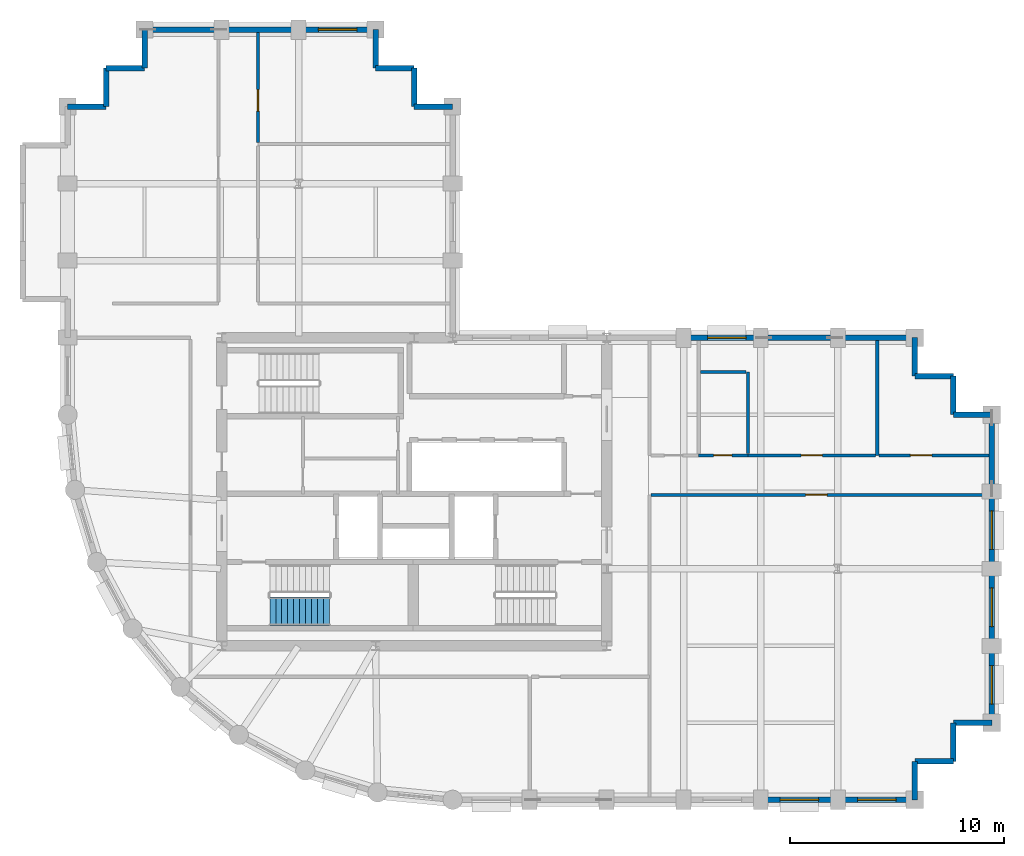
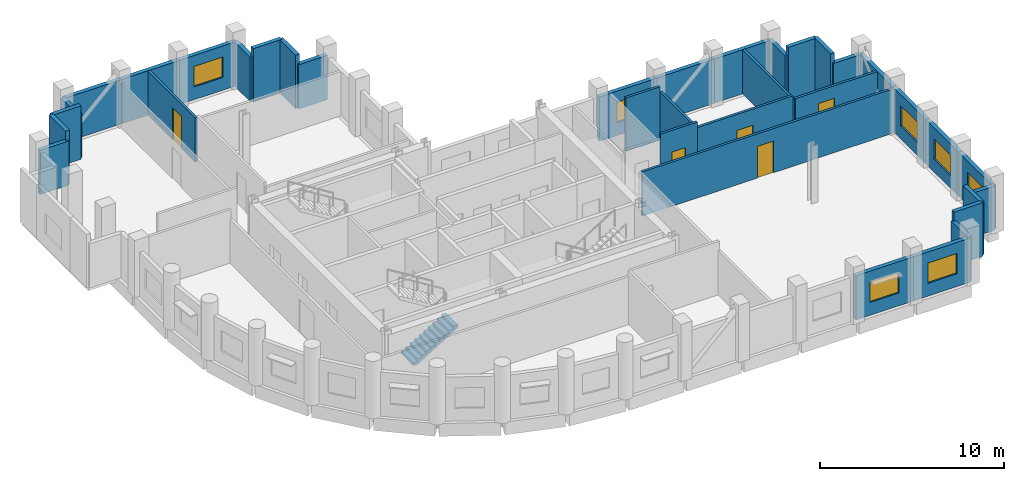
# One storey, part 5 of 8: 36 walls, 7 windows, 5 doors, 1 stair flight, 12 openings, 1 element without a shape of its own.
"""IFC4 building model written with IfcOpenShell, lengths in metres."""

from ifc_helpers import new_model, si_unit, direction, frame, frame_2d, origin, place, context, subcontext, project, spatial, polyline, rectangle, outline, extrude, material, layer, layer_set, type_object, element, fill, aggregate, save


model = new_model("IFC4")

# Units and contexts
model_context = context("Model", 3, precision=1e-05, world=origin(), true_north=direction((0.0, 1.0)))
body_context = subcontext(model_context, "Body", "Model", "MODEL_VIEW")
ifc_project = project(units=[si_unit("LENGTHUNIT", "METRE"), si_unit("AREAUNIT", "SQUARE_METRE"), si_unit("VOLUMEUNIT", "CUBIC_METRE"), si_unit("PLANEANGLEUNIT", "RADIAN"), si_unit("MASSUNIT", "GRAM", prefix="KILO")], contexts=[model_context])

# Site, building, storey
site_placement = place(None, origin())
site = spatial("IfcSite", under=ifc_project, at=site_placement, CompositionType="ELEMENT")
building_placement = place(site_placement, origin())
building = spatial("IfcBuilding", under=site, at=building_placement, Name="Solnavia Interchange Tower", CompositionType="ELEMENT")
storey_placement = place(building_placement, frame((0.0, 0.0, 197.60009765625)))
storey = spatial("IfcBuildingStorey", under=building, at=storey_placement, Name="L49", CompositionType="ELEMENT", Elevation=197.60009765625)

# Wall, opening, window
ifc_material_1 = material(Name="Concrete C40/50", Category="concrete")
ifc_layer_1 = layer(ifc_material_1, 0.25)
ifc_layer_set_1 = layer_set([ifc_layer_1], Name="Concrete C40/50")
wall_type_1 = type_object("IfcWallType", Name="Wall-ExtSpandrel-250", PredefinedType="STANDARD", material=ifc_layer_set_1)
wall_1_placement = place(storey_placement, frame((43.199951171875, 3.60009765625, 0.0), z_axis=(0.0, 0.0, 1.0), x_axis=(-1.0, 0.0, 0.0)))
wall_1 = element("IfcWall", 1, at=wall_1_placement, inside=storey, type_object=wall_type_1, Name="EXW-L49-05 Exterior precast spandrel wall", PredefinedType="STANDARD", context=body_context, shape_type="SweptSolid", body=[
    extrude(rectangle(XDim=3.599853515625, YDim=0.25, at=frame_2d((1.7998046875, 0.0))), origin(), (0.0, 0.0, 1.0), 2.929931640625),
])
opening_1_placement = place(wall_1_placement, frame((0.89990234375, 0.0, 0.85009765625)))
opening_1 = element("IfcOpeningElement", 2, at=opening_1_placement, cuts=wall_1, Name="Opening WIN-02", PredefinedType="OPENING", context=body_context, shape_type="SweptSolid", body=[
    extrude(rectangle(XDim=1.800048828125, YDim=1.35009765625, at=frame_2d((0.89990234375, 0.675048828125))), frame((0.0, 0.135009765625, 0.0), z_axis=(0.0, -1.0, 0.0), x_axis=(1.0, 0.0, 0.0)), (0.0, 0.0, 1.0), 0.27001953125),
])
ifc_material_2 = material(Name="Thermal-Break Aluminium & Low-E Glass", Category="aluminium")
window_type = type_object("IfcWindowType", Name="Window-Ribbon-1800x1350", PartitioningType="SINGLE_PANEL", PredefinedType="WINDOW", material=ifc_material_2)
window_1_placement = place(opening_1_placement, origin())
window_1 = element("IfcWindow", 3, at=window_1_placement, inside=storey, type_object=window_type, Name="WIN-L49-05 Facade ribbon window", OverallHeight=1.35009765625, OverallWidth=1.800048828125, PartitioningType="SINGLE_PANEL", PredefinedType="WINDOW", context=body_context, shape_type="SweptSolid", body=[
    extrude(rectangle(XDim=1.800048828125, YDim=1.35009765625, at=frame_2d((0.89990234375, 0.675048828125))), frame((0.0, 0.030029296875, 0.0), z_axis=(0.0, -1.0, 0.0), x_axis=(1.0, 0.0, 0.0)), (0.0, 0.0, 1.0), 0.06005859375),
])
fill(opening_1, window_1)

wall_2_placement = place(storey_placement, frame((46.800048828125, 3.60009765625, 0.0), z_axis=(0.0, 0.0, 1.0), x_axis=(-1.0, 0.0, 0.0)))
wall_2 = element("IfcWall", 4, at=wall_2_placement, inside=storey, type_object=wall_type_1, Name="EXW-L49-06 Exterior precast spandrel wall", PredefinedType="STANDARD", context=body_context, shape_type="SweptSolid", body=[
    extrude(rectangle(XDim=3.60009765625, YDim=0.25, at=frame_2d((1.800048828125, 0.0))), origin(), (0.0, 0.0, 1.0), 2.929931640625),
])
opening_2_placement = place(wall_2_placement, frame((0.875, 0.0, 0.85009765625)))
opening_2 = element("IfcOpeningElement", 5, at=opening_2_placement, cuts=wall_2, Name="Opening WIN-02", PredefinedType="OPENING", context=body_context, shape_type="SweptSolid", body=[
    extrude(rectangle(XDim=1.800048828125, YDim=1.35009765625, at=frame_2d((0.89990234375, 0.675048828125))), frame((0.0, 0.135009765625, 0.0), z_axis=(0.0, -1.0, 0.0), x_axis=(1.0, 0.0, 0.0)), (0.0, 0.0, 1.0), 0.27001953125),
])
window_2_placement = place(opening_2_placement, origin())
window_2 = element("IfcWindow", 6, at=window_2_placement, inside=storey, type_object=window_type, Name="WIN-L49-06 Facade ribbon window", OverallHeight=1.35009765625, OverallWidth=1.800048828125, PartitioningType="SINGLE_PANEL", PredefinedType="WINDOW", context=body_context, shape_type="SweptSolid", body=[
    extrude(rectangle(XDim=1.800048828125, YDim=1.35009765625, at=frame_2d((0.89990234375, 0.675048828125))), frame((0.0, 0.030029296875, 0.0), z_axis=(0.0, -1.0, 0.0), x_axis=(1.0, 0.0, 0.0)), (0.0, 0.0, 1.0), 0.06005859375),
])
fill(opening_2, window_2)

# Walls
wall_3_placement = place(storey_placement, frame((46.800048828125, 5.39990234375, 0.0), z_axis=(0.0, 0.0, 1.0), x_axis=(0.0, -1.0, 0.0)))
element("IfcWall", 7, at=wall_3_placement, inside=storey, type_object=wall_type_1, Name="EXW-L49-07 Exterior precast spandrel wall", PredefinedType="STANDARD", context=body_context, shape_type="SweptSolid", body=[
    extrude(rectangle(XDim=1.7998046875, YDim=0.25, at=frame_2d((0.89990234375, 0.0))), origin(), (0.0, 0.0, 1.0), 2.929931640625),
])
for number, where, z_axis, x_axis, name in (
    (8, (48.60009765625, 5.39990234375, 0.0), (0.0, 0.0, 1.0), (-1.0, 0.0, 0.0), "EXW-L49-08 Exterior precast spandrel wall"),
    (9, (48.60009765625, 7.199951171875, 0.0), (0.0, 0.0, 1.0), (0.0, -1.0, 0.0), "EXW-L49-09 Exterior precast spandrel wall"),
):
    element("IfcWall", number, at=place(storey_placement, frame(where, z_axis=z_axis, x_axis=x_axis)), inside=storey, type_object=wall_type_1, Name=name, PredefinedType="STANDARD", context=body_context, shape_type="SweptSolid", body=[
        extrude(rectangle(XDim=1.800048828125, YDim=0.25, at=frame_2d((0.89990234375, 0.0))), origin(), (0.0, 0.0, 1.0), 3.534912109375),
    ])
wall_4_placement = place(storey_placement, frame((50.39990234375, 7.199951171875, 0.0), z_axis=(0.0, 0.0, 1.0), x_axis=(-1.0, 0.0, 0.0)))
element("IfcWall", 10, at=wall_4_placement, inside=storey, type_object=wall_type_1, Name="EXW-L49-10 Exterior precast spandrel wall", PredefinedType="STANDARD", context=body_context, shape_type="SweptSolid", body=[
    extrude(rectangle(XDim=1.7998046875, YDim=0.25, at=frame_2d((0.89990234375, 0.0))), origin(), (0.0, 0.0, 1.0), 2.929931640625),
])

# Wall, opening, window
wall_5_placement = place(storey_placement, frame((50.39990234375, 10.800048828125, 0.0), z_axis=(0.0, 0.0, 1.0), x_axis=(0.0, -1.0, 0.0)))
wall_5 = element("IfcWall", 11, at=wall_5_placement, inside=storey, type_object=wall_type_1, Name="EXW-L49-11 Exterior precast spandrel wall", PredefinedType="STANDARD", context=body_context, shape_type="SweptSolid", body=[
    extrude(rectangle(XDim=3.60009765625, YDim=0.25, at=frame_2d((1.800048828125, 0.0))), origin(), (0.0, 0.0, 1.0), 2.929931640625),
])
opening_3_placement = place(wall_5_placement, frame((0.925048828125, 0.0, 0.85009765625)))
opening_3 = element("IfcOpeningElement", 12, at=opening_3_placement, cuts=wall_5, Name="Opening WIN-02", PredefinedType="OPENING", context=body_context, shape_type="SweptSolid", body=[
    extrude(rectangle(XDim=1.800048828125, YDim=1.35009765625, at=frame_2d((0.89990234375, 0.675048828125))), frame((0.0, 0.135009765625, 0.0), z_axis=(0.0, -1.0, 0.0), x_axis=(1.0, 0.0, 0.0)), (0.0, 0.0, 1.0), 0.27001953125),
])
window_3_placement = place(opening_3_placement, origin())
window_3 = element("IfcWindow", 13, at=window_3_placement, inside=storey, type_object=window_type, Name="WIN-L49-11 Facade ribbon window", OverallHeight=1.35009765625, OverallWidth=1.800048828125, PartitioningType="SINGLE_PANEL", PredefinedType="WINDOW", context=body_context, shape_type="SweptSolid", body=[
    extrude(rectangle(XDim=1.800048828125, YDim=1.35009765625, at=frame_2d((0.89990234375, 0.675048828125))), frame((0.0, 0.030029296875, 0.0), z_axis=(0.0, -1.0, 0.0), x_axis=(1.0, 0.0, 0.0)), (0.0, 0.0, 1.0), 0.06005859375),
])
fill(opening_3, window_3)

wall_6_placement = place(storey_placement, frame((50.39990234375, 14.39990234375, 0.0), z_axis=(0.0, 0.0, 1.0), x_axis=(0.0, -1.0, 0.0)))
wall_6 = element("IfcWall", 14, at=wall_6_placement, inside=storey, type_object=wall_type_1, Name="EXW-L49-12 Exterior precast spandrel wall", PredefinedType="STANDARD", context=body_context, shape_type="SweptSolid", body=[
    extrude(rectangle(XDim=3.599853515625, YDim=0.25, at=frame_2d((1.7998046875, 0.0))), origin(), (0.0, 0.0, 1.0), 2.929931640625),
])
opening_4_placement = place(wall_6_placement, frame((0.89990234375, 0.0, 0.85009765625)))
opening_4 = element("IfcOpeningElement", 15, at=opening_4_placement, cuts=wall_6, Name="Opening WIN-02", PredefinedType="OPENING", context=body_context, shape_type="SweptSolid", body=[
    extrude(rectangle(XDim=1.800048828125, YDim=1.35009765625, at=frame_2d((0.89990234375, 0.675048828125))), frame((0.0, 0.135009765625, 0.0), z_axis=(0.0, -1.0, 0.0), x_axis=(1.0, 0.0, 0.0)), (0.0, 0.0, 1.0), 0.27001953125),
])
window_4_placement = place(opening_4_placement, origin())
window_4 = element("IfcWindow", 16, at=window_4_placement, inside=storey, type_object=window_type, Name="WIN-L49-12 Facade ribbon window", OverallHeight=1.35009765625, OverallWidth=1.800048828125, PartitioningType="SINGLE_PANEL", PredefinedType="WINDOW", context=body_context, shape_type="SweptSolid", body=[
    extrude(rectangle(XDim=1.800048828125, YDim=1.35009765625, at=frame_2d((0.89990234375, 0.675048828125))), frame((0.0, 0.030029296875, 0.0), z_axis=(0.0, -1.0, 0.0), x_axis=(1.0, 0.0, 0.0)), (0.0, 0.0, 1.0), 0.06005859375),
])
fill(opening_4, window_4)

wall_7_placement = place(storey_placement, frame((50.39990234375, 18.0, 0.0), z_axis=(0.0, 0.0, 1.0), x_axis=(0.0, -1.0, 0.0)))
wall_7 = element("IfcWall", 17, at=wall_7_placement, inside=storey, type_object=wall_type_1, Name="EXW-L49-13 Exterior precast spandrel wall", PredefinedType="STANDARD", context=body_context, shape_type="SweptSolid", body=[
    extrude(rectangle(XDim=3.60009765625, YDim=0.25, at=frame_2d((1.800048828125, 0.0))), origin(), (0.0, 0.0, 1.0), 2.929931640625),
])
opening_5_placement = place(wall_7_placement, frame((0.89990234375, 0.0, 0.85009765625)))
opening_5 = element("IfcOpeningElement", 18, at=opening_5_placement, cuts=wall_7, Name="Opening WIN-02", PredefinedType="OPENING", context=body_context, shape_type="SweptSolid", body=[
    extrude(rectangle(XDim=1.800048828125, YDim=1.35009765625, at=frame_2d((0.89990234375, 0.675048828125))), frame((0.0, 0.135009765625, 0.0), z_axis=(0.0, -1.0, 0.0), x_axis=(1.0, 0.0, 0.0)), (0.0, 0.0, 1.0), 0.27001953125),
])
window_5_placement = place(opening_5_placement, origin())
window_5 = element("IfcWindow", 19, at=window_5_placement, inside=storey, type_object=window_type, Name="WIN-L49-13 Facade ribbon window", OverallHeight=1.35009765625, OverallWidth=1.800048828125, PartitioningType="SINGLE_PANEL", PredefinedType="WINDOW", context=body_context, shape_type="SweptSolid", body=[
    extrude(rectangle(XDim=1.800048828125, YDim=1.35009765625, at=frame_2d((0.89990234375, 0.675048828125))), frame((0.0, 0.030029296875, 0.0), z_axis=(0.0, -1.0, 0.0), x_axis=(1.0, 0.0, 0.0)), (0.0, 0.0, 1.0), 0.06005859375),
])
fill(opening_5, window_5)

# Walls
wall_8_placement = place(storey_placement, frame((50.39990234375, 21.60009765625, 0.0), z_axis=(0.0, 0.0, 1.0), x_axis=(0.0, -1.0, 0.0)))
element("IfcWall", 20, at=wall_8_placement, inside=storey, type_object=wall_type_1, Name="EXW-L49-14 Exterior precast spandrel wall", PredefinedType="STANDARD", context=body_context, shape_type="SweptSolid", body=[
    extrude(rectangle(XDim=3.60009765625, YDim=0.25, at=frame_2d((1.800048828125, 0.0))), origin(), (0.0, 0.0, 1.0), 2.929931640625),
])
wall_9_placement = place(storey_placement, frame((48.60009765625, 21.60009765625, 0.0), z_axis=(0.0, 0.0, 1.0), x_axis=(1.0, 0.0, 0.0)))
element("IfcWall", 21, at=wall_9_placement, inside=storey, type_object=wall_type_1, Name="EXW-L49-15 Exterior precast spandrel wall", PredefinedType="STANDARD", context=body_context, shape_type="SweptSolid", body=[
    extrude(rectangle(XDim=1.7998046875, YDim=0.25, at=frame_2d((0.89990234375, 0.0))), origin(), (0.0, 0.0, 1.0), 2.929931640625),
])
wall_10_placement = place(storey_placement, frame((48.60009765625, 23.39990234375, 0.0), z_axis=(0.0, 0.0, 1.0), x_axis=(0.0, -1.0, 0.0)))
element("IfcWall", 22, at=wall_10_placement, inside=storey, type_object=wall_type_1, Name="EXW-L49-16 Exterior precast spandrel wall", PredefinedType="STANDARD", context=body_context, shape_type="SweptSolid", body=[
    extrude(rectangle(XDim=1.7998046875, YDim=0.25, at=frame_2d((0.89990234375, 0.0))), origin(), (0.0, 0.0, 1.0), 3.534912109375),
])
wall_11_placement = place(storey_placement, frame((46.800048828125, 23.39990234375, 0.0), z_axis=(0.0, 0.0, 1.0), x_axis=(1.0, 0.0, 0.0)))
element("IfcWall", 23, at=wall_11_placement, inside=storey, type_object=wall_type_1, Name="EXW-L49-17 Exterior precast spandrel wall", PredefinedType="STANDARD", context=body_context, shape_type="SweptSolid", body=[
    extrude(rectangle(XDim=1.800048828125, YDim=0.25, at=frame_2d((0.89990234375, 0.0))), origin(), (0.0, 0.0, 1.0), 3.534912109375),
])
wall_12_placement = place(storey_placement, frame((46.800048828125, 25.199951171875, 0.0), z_axis=(0.0, 0.0, 1.0), x_axis=(0.0, -1.0, 0.0)))
element("IfcWall", 24, at=wall_12_placement, inside=storey, type_object=wall_type_1, Name="EXW-L49-18 Exterior precast spandrel wall", PredefinedType="STANDARD", context=body_context, shape_type="SweptSolid", body=[
    extrude(rectangle(XDim=1.800048828125, YDim=0.25, at=frame_2d((0.89990234375, 0.0))), origin(), (0.0, 0.0, 1.0), 2.929931640625),
])
wall_13_placement = place(storey_placement, frame((43.199951171875, 25.199951171875, 0.0), z_axis=(0.0, 0.0, 1.0), x_axis=(1.0, 0.0, 0.0)))
element("IfcWall", 25, at=wall_13_placement, inside=storey, type_object=wall_type_1, Name="EXW-L49-19 Exterior precast spandrel wall", PredefinedType="STANDARD", context=body_context, shape_type="SweptSolid", body=[
    extrude(rectangle(XDim=3.60009765625, YDim=0.25, at=frame_2d((1.800048828125, 0.0))), origin(), (0.0, 0.0, 1.0), 2.929931640625),
])
wall_14_placement = place(storey_placement, frame((39.60009765625, 25.199951171875, 0.0), z_axis=(0.0, 0.0, 1.0), x_axis=(1.0, 0.0, 0.0)))
element("IfcWall", 26, at=wall_14_placement, inside=storey, type_object=wall_type_1, Name="EXW-L49-20 Exterior precast spandrel wall", PredefinedType="STANDARD", context=body_context, shape_type="SweptSolid", body=[
    extrude(rectangle(XDim=3.599853515625, YDim=0.25, at=frame_2d((1.7998046875, 0.0))), origin(), (0.0, 0.0, 1.0), 2.929931640625),
])

# Wall, opening, window
wall_15_placement = place(storey_placement, frame((36.0, 25.199951171875, 0.0), z_axis=(0.0, 0.0, 1.0), x_axis=(1.0, 0.0, 0.0)))
wall_15 = element("IfcWall", 27, at=wall_15_placement, inside=storey, type_object=wall_type_1, Name="EXW-L49-21 Exterior precast spandrel wall", PredefinedType="STANDARD", context=body_context, shape_type="SweptSolid", body=[
    extrude(rectangle(XDim=3.60009765625, YDim=0.25, at=frame_2d((1.800048828125, 0.0))), origin(), (0.0, 0.0, 1.0), 2.929931640625),
])
opening_6_placement = place(wall_15_placement, frame((1.1201171875, 0.0, 0.85009765625)))
opening_6 = element("IfcOpeningElement", 28, at=opening_6_placement, cuts=wall_15, Name="Opening WIN-02", PredefinedType="OPENING", context=body_context, shape_type="SweptSolid", body=[
    extrude(rectangle(XDim=1.800048828125, YDim=1.35009765625, at=frame_2d((0.89990234375, 0.675048828125))), frame((0.0, 0.135009765625, 0.0), z_axis=(0.0, -1.0, 0.0), x_axis=(1.0, 0.0, 0.0)), (0.0, 0.0, 1.0), 0.27001953125),
])
window_6_placement = place(opening_6_placement, origin())
window_6 = element("IfcWindow", 29, at=window_6_placement, inside=storey, type_object=window_type, Name="WIN-L49-21 Facade ribbon window", OverallHeight=1.35009765625, OverallWidth=1.800048828125, PartitioningType="SINGLE_PANEL", PredefinedType="WINDOW", context=body_context, shape_type="SweptSolid", body=[
    extrude(rectangle(XDim=1.800048828125, YDim=1.35009765625, at=frame_2d((0.89990234375, 0.675048828125))), frame((0.0, 0.030029296875, 0.0), z_axis=(0.0, -1.0, 0.0), x_axis=(1.0, 0.0, 0.0)), (0.0, 0.0, 1.0), 0.06005859375),
])
fill(opening_6, window_6)

# Walls
wall_16_placement = place(storey_placement, frame((23.39990234375, 36.0, 0.0), z_axis=(0.0, 0.0, 1.0), x_axis=(1.0, 0.0, 0.0)))
element("IfcWall", 30, at=wall_16_placement, inside=storey, type_object=wall_type_1, Name="EXW-L49-28 Exterior precast spandrel wall", PredefinedType="STANDARD", context=body_context, shape_type="SweptSolid", body=[
    extrude(rectangle(XDim=1.800048828125, YDim=0.25, at=frame_2d((0.89990234375, 0.0))), origin(), (0.0, 0.0, 1.0), 2.929931640625),
])
wall_17_placement = place(storey_placement, frame((23.39990234375, 36.0, 0.0), z_axis=(0.0, 0.0, 1.0), x_axis=(0.0, 1.0, 0.0)))
element("IfcWall", 31, at=wall_17_placement, inside=storey, type_object=wall_type_1, Name="EXW-L49-29 Exterior precast spandrel wall", PredefinedType="STANDARD", context=body_context, shape_type="SweptSolid", body=[
    extrude(rectangle(XDim=1.800048828125, YDim=0.25, at=frame_2d((0.89990234375, 0.0))), origin(), (0.0, 0.0, 1.0), 3.534912109375),
])
wall_18_placement = place(storey_placement, frame((21.60009765625, 37.800048828125, 0.0), z_axis=(0.0, 0.0, 1.0), x_axis=(1.0, 0.0, 0.0)))
element("IfcWall", 32, at=wall_18_placement, inside=storey, type_object=wall_type_1, Name="EXW-L49-30 Exterior precast spandrel wall", PredefinedType="STANDARD", context=body_context, shape_type="SweptSolid", body=[
    extrude(rectangle(XDim=1.7998046875, YDim=0.25, at=frame_2d((0.89990234375, 0.0))), origin(), (0.0, 0.0, 1.0), 3.534912109375),
])
wall_19_placement = place(storey_placement, frame((21.60009765625, 37.800048828125, 0.0), z_axis=(0.0, 0.0, 1.0), x_axis=(0.0, 1.0, 0.0)))
element("IfcWall", 33, at=wall_19_placement, inside=storey, type_object=wall_type_1, Name="EXW-L49-31 Exterior precast spandrel wall", PredefinedType="STANDARD", context=body_context, shape_type="SweptSolid", body=[
    extrude(rectangle(XDim=1.800048828125, YDim=0.25, at=frame_2d((0.89990234375, 0.0))), origin(), (0.0, 0.0, 1.0), 2.929931640625),
])

# Wall, opening, window
wall_20_placement = place(storey_placement, frame((18.0, 39.60009765625, 0.0), z_axis=(0.0, 0.0, 1.0), x_axis=(1.0, 0.0, 0.0)))
wall_20 = element("IfcWall", 34, at=wall_20_placement, inside=storey, type_object=wall_type_1, Name="EXW-L49-32 Exterior precast spandrel wall", PredefinedType="STANDARD", context=body_context, shape_type="SweptSolid", body=[
    extrude(rectangle(XDim=3.60009765625, YDim=0.25, at=frame_2d((1.800048828125, 0.0))), origin(), (0.0, 0.0, 1.0), 2.929931640625),
])
opening_7_placement = place(wall_20_placement, frame((0.925048828125, 0.0, 0.85009765625)))
opening_7 = element("IfcOpeningElement", 35, at=opening_7_placement, cuts=wall_20, Name="Opening WIN-02", PredefinedType="OPENING", context=body_context, shape_type="SweptSolid", body=[
    extrude(rectangle(XDim=1.800048828125, YDim=1.35009765625, at=frame_2d((0.89990234375, 0.675048828125))), frame((0.0, 0.135009765625, 0.0), z_axis=(0.0, -1.0, 0.0), x_axis=(1.0, 0.0, 0.0)), (0.0, 0.0, 1.0), 0.27001953125),
])
window_7_placement = place(opening_7_placement, origin())
window_7 = element("IfcWindow", 36, at=window_7_placement, inside=storey, type_object=window_type, Name="WIN-L49-32 Facade ribbon window", OverallHeight=1.35009765625, OverallWidth=1.800048828125, PartitioningType="SINGLE_PANEL", PredefinedType="WINDOW", context=body_context, shape_type="SweptSolid", body=[
    extrude(rectangle(XDim=1.800048828125, YDim=1.35009765625, at=frame_2d((0.89990234375, 0.675048828125))), frame((0.0, 0.030029296875, 0.0), z_axis=(0.0, -1.0, 0.0), x_axis=(1.0, 0.0, 0.0)), (0.0, 0.0, 1.0), 0.06005859375),
])
fill(opening_7, window_7)

# Walls
wall_21_placement = place(storey_placement, frame((14.39990234375, 39.60009765625, 0.0), z_axis=(0.0, 0.0, 1.0), x_axis=(1.0, 0.0, 0.0)))
element("IfcWall", 37, at=wall_21_placement, inside=storey, type_object=wall_type_1, Name="EXW-L49-33 Exterior precast spandrel wall", PredefinedType="STANDARD", context=body_context, shape_type="SweptSolid", body=[
    extrude(rectangle(XDim=3.60009765625, YDim=0.25, at=frame_2d((1.800048828125, 0.0))), origin(), (0.0, 0.0, 1.0), 2.929931640625),
])
wall_22_placement = place(storey_placement, frame((10.800048828125, 39.60009765625, 0.0), z_axis=(0.0, 0.0, 1.0), x_axis=(1.0, 0.0, 0.0)))
element("IfcWall", 38, at=wall_22_placement, inside=storey, type_object=wall_type_1, Name="EXW-L49-34 Exterior precast spandrel wall", PredefinedType="STANDARD", context=body_context, shape_type="SweptSolid", body=[
    extrude(rectangle(XDim=3.599853515625, YDim=0.25, at=frame_2d((1.7998046875, 0.0))), origin(), (0.0, 0.0, 1.0), 2.929931640625),
])
wall_23_placement = place(storey_placement, frame((10.800048828125, 37.800048828125, 0.0), z_axis=(0.0, 0.0, 1.0), x_axis=(0.0, 1.0, 0.0)))
element("IfcWall", 39, at=wall_23_placement, inside=storey, type_object=wall_type_1, Name="EXW-L49-35 Exterior precast spandrel wall", PredefinedType="STANDARD", context=body_context, shape_type="SweptSolid", body=[
    extrude(rectangle(XDim=1.800048828125, YDim=0.25, at=frame_2d((0.89990234375, 0.0))), origin(), (0.0, 0.0, 1.0), 2.929931640625),
])
for number, where, z_axis, x_axis, name in (
    (40, (9.0, 37.800048828125, 0.0), (0.0, 0.0, 1.0), (1.0, 0.0, 0.0), "EXW-L49-36 Exterior precast spandrel wall"),
    (41, (9.0, 36.0, 0.0), (0.0, 0.0, 1.0), (0.0, 1.0, 0.0), "EXW-L49-37 Exterior precast spandrel wall"),
):
    element("IfcWall", number, at=place(storey_placement, frame(where, z_axis=z_axis, x_axis=x_axis)), inside=storey, type_object=wall_type_1, Name=name, PredefinedType="STANDARD", context=body_context, shape_type="SweptSolid", body=[
        extrude(rectangle(XDim=1.800048828125, YDim=0.25, at=frame_2d((0.89990234375, 0.0))), origin(), (0.0, 0.0, 1.0), 3.534912109375),
    ])
wall_24_placement = place(storey_placement, frame((7.199951171875, 36.0, 0.0), z_axis=(0.0, 0.0, 1.0), x_axis=(1.0, 0.0, 0.0)))
element("IfcWall", 42, at=wall_24_placement, inside=storey, type_object=wall_type_1, Name="EXW-L49-38 Exterior precast spandrel wall", PredefinedType="STANDARD", context=body_context, shape_type="SweptSolid", body=[
    extrude(rectangle(XDim=1.800048828125, YDim=0.25, at=frame_2d((0.89990234375, 0.0))), origin(), (0.0, 0.0, 1.0), 2.929931640625),
])

# Wall, opening, door
ifc_material_3 = material(Name="Gypsum Plasterboard & Steel Stud", Category="steel")
ifc_layer_2 = layer(ifc_material_3, 0.14990234375)
ifc_layer_set_2 = layer_set([ifc_layer_2], Name="Gypsum Plasterboard & Steel Stud")
wall_type_2 = type_object("IfcWallType", Name="Wall-Partition-150", PredefinedType="PARTITIONING", material=ifc_layer_set_2)
wall_25_placement = place(storey_placement, frame((34.47900390625, 17.85009765625, 0.0), z_axis=(0.0, 0.0, 1.0), x_axis=(1.0, 0.0, 0.0)))
wall_25 = element("IfcWall", 43, at=wall_25_placement, inside=storey, type_object=wall_type_2, Name="PTW-L49-13 Interior partition wall", PredefinedType="PARTITIONING", context=body_context, shape_type="SweptSolid", body=[
    extrude(rectangle(XDim=15.7919921875, YDim=0.14990234375, at=frame_2d((7.89599609375, 0.0))), origin(), (0.0, 0.0, 1.0), 2.929931640625),
])
opening_8_placement = place(wall_25_placement, frame((7.221923828125, 0.0, 0.0)))
opening_8 = element("IfcOpeningElement", 44, at=opening_8_placement, cuts=wall_25, Name="Opening DR-07", PredefinedType="OPENING", context=body_context, shape_type="SweptSolid", body=[
    extrude(rectangle(XDim=1.0, YDim=2.10009765625, at=frame_2d((0.5, 1.050048828125))), frame((0.0, 0.0849609375, 0.0), z_axis=(0.0, -1.0, 0.0), x_axis=(1.0, 0.0, 0.0)), (0.0, 0.0, 1.0), 0.169921875),
])
ifc_material_4 = material(Name="Timber & Acoustic Glazed Office Door", Category="wood")
door_type_1 = type_object("IfcDoorType", Name="Door-Office-1000x2100", OperationType="SINGLE_SWING_RIGHT", PredefinedType="DOOR", material=ifc_material_4)
door_1_placement = place(opening_8_placement, origin())
door_1 = element("IfcDoor", 45, at=door_1_placement, inside=storey, type_object=door_type_1, Name="DR-L49-05 Interior room door", OperationType="SINGLE_SWING_LEFT", OverallHeight=2.10009765625, OverallWidth=1.0, PredefinedType="DOOR", context=body_context, shape_type="SweptSolid", body=[
    extrude(rectangle(XDim=1.0, YDim=2.10009765625, at=frame_2d((0.5, 1.050048828125))), frame((0.0, 0.02490234375, 0.0), z_axis=(0.0, -1.0, 0.0), x_axis=(1.0, 0.0, 0.0)), (0.0, 0.0, 1.0), 0.050048828125),
])
fill(opening_8, door_1)

# Wall
wall_26_placement = place(storey_placement, frame((45.050048828125, 19.699951171875, 0.0), z_axis=(0.0, 0.0, 1.0), x_axis=(0.0, 1.0, 0.0)))
element("IfcWall", 46, at=wall_26_placement, inside=storey, type_object=wall_type_2, Name="PTW-L49-14 Interior partition wall", PredefinedType="PARTITIONING", context=body_context, shape_type="SweptSolid", body=[
    extrude(rectangle(XDim=5.37109375, YDim=0.14990234375, at=frame_2d((2.685546875, 0.0))), origin(), (0.0, 0.0, 1.0), 2.929931640625),
])

# Wall, opening, door
wall_27_placement = place(storey_placement, frame((39.0, 19.699951171875, 0.0), z_axis=(0.0, 0.0, 1.0), x_axis=(1.0, 0.0, 0.0)))
wall_27 = element("IfcWall", 47, at=wall_27_placement, inside=storey, type_object=wall_type_2, Name="PTW-L49-15 Interior partition wall", PredefinedType="PARTITIONING", context=body_context, shape_type="SweptSolid", body=[
    extrude(rectangle(XDim=5.970947265625, YDim=0.14990234375, at=frame_2d((2.9853515625, 0.0))), origin(), (0.0, 0.0, 1.0), 3.169921875),
])
opening_9_placement = place(wall_27_placement, frame((2.486083984375, 0.0, 0.0)))
opening_9 = element("IfcOpeningElement", 48, at=opening_9_placement, cuts=wall_27, Name="Opening DR-07", PredefinedType="OPENING", context=body_context, shape_type="SweptSolid", body=[
    extrude(rectangle(XDim=1.0, YDim=2.10009765625, at=frame_2d((0.5, 1.050048828125))), frame((0.0, 0.0849609375, 0.0), z_axis=(0.0, -1.0, 0.0), x_axis=(1.0, 0.0, 0.0)), (0.0, 0.0, 1.0), 0.169921875),
])
door_2_placement = place(opening_9_placement, origin())
door_2 = element("IfcDoor", 49, at=door_2_placement, inside=storey, type_object=door_type_1, Name="DR-L49-06 Interior room door", OperationType="SINGLE_SWING_RIGHT", OverallHeight=2.10009765625, OverallWidth=1.0, PredefinedType="DOOR", context=body_context, shape_type="SweptSolid", body=[
    extrude(rectangle(XDim=1.0, YDim=2.10009765625, at=frame_2d((0.5, 1.050048828125))), frame((0.0, 0.02490234375, 0.0), z_axis=(0.0, -1.0, 0.0), x_axis=(1.0, 0.0, 0.0)), (0.0, 0.0, 1.0), 0.050048828125),
])
fill(opening_9, door_2)

wall_28_placement = place(storey_placement, frame((45.12890625, 19.699951171875, 0.0), z_axis=(0.0, 0.0, 1.0), x_axis=(1.0, 0.0, 0.0)))
wall_28 = element("IfcWall", 50, at=wall_28_placement, inside=storey, type_object=wall_type_2, Name="PTW-L49-16 Interior partition wall", PredefinedType="PARTITIONING", context=body_context, shape_type="SweptSolid", body=[
    extrude(rectangle(XDim=5.14208984375, YDim=0.14990234375, at=frame_2d((2.571044921875, 0.0))), origin(), (0.0, 0.0, 1.0), 2.929931640625),
])
opening_10_placement = place(wall_28_placement, frame((1.465087890625, 0.0, 0.0)))
opening_10 = element("IfcOpeningElement", 51, at=opening_10_placement, cuts=wall_28, Name="Opening DR-07", PredefinedType="OPENING", context=body_context, shape_type="SweptSolid", body=[
    extrude(rectangle(XDim=1.0, YDim=2.10009765625, at=frame_2d((0.5, 1.050048828125))), frame((0.0, 0.0849609375, 0.0), z_axis=(0.0, -1.0, 0.0), x_axis=(1.0, 0.0, 0.0)), (0.0, 0.0, 1.0), 0.169921875),
])
door_3_placement = place(opening_10_placement, origin())
door_3 = element("IfcDoor", 52, at=door_3_placement, inside=storey, type_object=door_type_1, Name="DR-L49-07 Interior room door", OperationType="SINGLE_SWING_RIGHT", OverallHeight=2.10009765625, OverallWidth=1.0, PredefinedType="DOOR", context=body_context, shape_type="SweptSolid", body=[
    extrude(rectangle(XDim=1.0, YDim=2.10009765625, at=frame_2d((0.5, 1.050048828125))), frame((0.0, 0.02490234375, 0.0), z_axis=(0.0, -1.0, 0.0), x_axis=(1.0, 0.0, 0.0)), (0.0, 0.0, 1.0), 0.050048828125),
])
fill(opening_10, door_3)

wall_29_placement = place(storey_placement, frame((16.10009765625, 34.3291015625, 0.0), z_axis=(0.0, 0.0, 1.0), x_axis=(0.0, 1.0, 0.0)))
wall_29 = element("IfcWall", 53, at=wall_29_placement, inside=storey, type_object=wall_type_2, Name="PTW-L49-22 Interior partition wall", PredefinedType="PARTITIONING", context=body_context, shape_type="SweptSolid", body=[
    extrude(rectangle(XDim=5.141845703125, YDim=0.14990234375, at=frame_2d((2.57080078125, 0.0))), origin(), (0.0, 0.0, 1.0), 2.929931640625),
])
opening_11_placement = place(wall_29_placement, frame((1.465087890625, 0.0, 0.0)))
opening_11 = element("IfcOpeningElement", 54, at=opening_11_placement, cuts=wall_29, Name="Opening DR-07", PredefinedType="OPENING", context=body_context, shape_type="SweptSolid", body=[
    extrude(rectangle(XDim=1.0, YDim=2.10009765625, at=frame_2d((0.5, 1.050048828125))), frame((0.0, 0.0849609375, 0.0), z_axis=(0.0, -1.0, 0.0), x_axis=(1.0, 0.0, 0.0)), (0.0, 0.0, 1.0), 0.169921875),
])
door_4_placement = place(opening_11_placement, origin())
door_4 = element("IfcDoor", 55, at=door_4_placement, inside=storey, type_object=door_type_1, Name="DR-L49-10 Interior room door", OperationType="SINGLE_SWING_LEFT", OverallHeight=2.10009765625, OverallWidth=1.0, PredefinedType="DOOR", context=body_context, shape_type="SweptSolid", body=[
    extrude(rectangle(XDim=1.0, YDim=2.10009765625, at=frame_2d((0.5, 1.050048828125))), frame((0.0, 0.02490234375, 0.0), z_axis=(0.0, -1.0, 0.0), x_axis=(1.0, 0.0, 0.0)), (0.0, 0.0, 1.0), 0.050048828125),
])
fill(opening_11, door_4)

ifc_material_5 = material(Name="Moisture-Resistant Gypsum & Steel Stud", Category="steel")
ifc_layer_3 = layer(ifc_material_5, 0.14990234375)
ifc_layer_set_3 = layer_set([ifc_layer_3], Name="Moisture-Resistant Gypsum & Steel Stud")
wall_type_3 = type_object("IfcWallType", Name="Wall-WetRoom-150", PredefinedType="PARTITIONING", material=ifc_layer_set_3)
wall_30_placement = place(storey_placement, frame((36.699951171875, 19.699951171875, 0.0), z_axis=(0.0, 0.0, 1.0), x_axis=(1.0, 0.0, 0.0)))
wall_30 = element("IfcWall", 56, at=wall_30_placement, inside=storey, type_object=wall_type_3, Name="PTW-L49-04 Interior partition wall", PredefinedType="PARTITIONING", context=body_context, shape_type="SweptSolid", body=[
    extrude(rectangle(XDim=2.300048828125, YDim=0.14990234375, at=frame_2d((1.14990234375, 0.0))), origin(), (0.0, 0.0, 1.0), 3.534912109375),
])
opening_12_placement = place(wall_30_placement, frame((0.697021484375, 0.0, 0.0)))
opening_12 = element("IfcOpeningElement", 57, at=opening_12_placement, cuts=wall_30, Name="Opening DR-10", PredefinedType="OPENING", context=body_context, shape_type="SweptSolid", body=[
    extrude(rectangle(XDim=0.85009765625, YDim=2.10009765625, at=frame_2d((0.425048828125, 1.050048828125))), frame((0.0, 0.0849609375, 0.0), z_axis=(0.0, -1.0, 0.0), x_axis=(1.0, 0.0, 0.0)), (0.0, 0.0, 1.0), 0.169921875),
])
ifc_material_6 = material(Name="Moisture-Resistant Timber Door", Category="wood")
door_type_2 = type_object("IfcDoorType", Name="Door-Bathroom-850x2100", OperationType="SINGLE_SWING_RIGHT", PredefinedType="DOOR", material=ifc_material_6)
door_5_placement = place(opening_12_placement, origin())
door_5 = element("IfcDoor", 58, at=door_5_placement, inside=storey, type_object=door_type_2, Name="DR-L49-02 Interior room door", OperationType="SINGLE_SWING_RIGHT", OverallHeight=2.10009765625, OverallWidth=0.85009765625, PredefinedType="DOOR", context=body_context, shape_type="SweptSolid", body=[
    extrude(rectangle(XDim=0.85009765625, YDim=2.10009765625, at=frame_2d((0.425048828125, 1.050048828125))), frame((0.0, 0.02490234375, 0.0), z_axis=(0.0, -1.0, 0.0), x_axis=(1.0, 0.0, 0.0)), (0.0, 0.0, 1.0), 0.050048828125),
])
fill(opening_12, door_5)

# Walls
wall_31_placement = place(storey_placement, frame((39.0, 19.779052734375, 0.0), z_axis=(0.0, 0.0, 1.0), x_axis=(0.0, 1.0, 0.0)))
element("IfcWall", 59, at=wall_31_placement, inside=storey, type_object=wall_type_3, Name="PTW-L49-05 Interior partition wall", PredefinedType="PARTITIONING", context=body_context, shape_type="SweptSolid", body=[
    extrude(rectangle(XDim=3.821044921875, YDim=0.14990234375, at=frame_2d((1.91064453125, 0.0))), origin(), (0.0, 0.0, 1.0), 3.169921875),
])
wall_32_placement = place(storey_placement, frame((36.779052734375, 23.60009765625, 0.0), z_axis=(0.0, 0.0, 1.0), x_axis=(1.0, 0.0, 0.0)))
element("IfcWall", 60, at=wall_32_placement, inside=storey, type_object=wall_type_3, Name="PTW-L49-06 Interior partition wall", PredefinedType="PARTITIONING", context=body_context, shape_type="SweptSolid", body=[
    extrude(rectangle(XDim=2.141845703125, YDim=0.14990234375, at=frame_2d((1.07080078125, 0.0))), origin(), (0.0, 0.0, 1.0), 3.534912109375),
])

# Stair, stair flight
stair_type = type_object("IfcStairType", Name="Stair-Dogleg-RC", PredefinedType="HALF_TURN_STAIR", material=ifc_material_1)
stair_placement = place(storey_placement, origin())
stair = element("IfcStair", 61, at=stair_placement, inside=storey, type_object=stair_type, Name="L49 Core exit stair 1", PredefinedType="HALF_TURN_STAIR")
stair_flight_type = type_object("IfcStairFlightType", Name="StairFlight-RC-150", PredefinedType="STRAIGHT", material=ifc_material_1)
stair_flight_placement = place(storey_placement, frame((16.64990234375, 12.409912109375, 0.0), z_axis=(0.0, 0.0, 1.0), x_axis=(1.0, 0.0, 0.0)))
stair_flight = element("IfcStairFlight", 62, at=stair_flight_placement, type_object=stair_flight_type, Name="ST-1 flight 1", NumberOfRisers=11, NumberOfTreads=10, PredefinedType="STRAIGHT", RiserHeight=0.172727273, TreadLength=0.28, context=body_context, shape_type="SweptSolid", body=[
    extrude(outline(polyline([(0.0, 0.0), (0.0, 0.172607421875), (0.280029296875, 0.172607421875), (0.280029296875, 0.345458984375), (0.56005859375, 0.345458984375), (0.56005859375, 0.51806640625), (0.840087890625, 0.51806640625), (0.840087890625, 0.69091796875), (1.1201171875, 0.69091796875), (1.1201171875, 0.863525390625), (1.39990234375, 0.863525390625), (1.39990234375, 1.036376953125), (1.679931640625, 1.036376953125), (1.679931640625, 1.208984375), (1.9599609375, 1.208984375), (1.9599609375, 1.3818359375), (2.239990234375, 1.3818359375), (2.239990234375, 1.554443359375), (2.52001953125, 1.554443359375), (2.52001953125, 1.727294921875), (2.800048828125, 1.727294921875), (2.800048828125, 1.89990234375), (2.800048828125, 1.551025390625), (0.285400390625, 0.0), (0.0, 0.0)])), frame((0.0, 0.66015625, 0.0), z_axis=(0.0, -1.0, 0.0), x_axis=(1.0, 0.0, 0.0)), (0.0, 0.0, 1.0), 1.320068359375),
])
aggregate(stair, [stair_flight])

save(model, "model.ifc")
